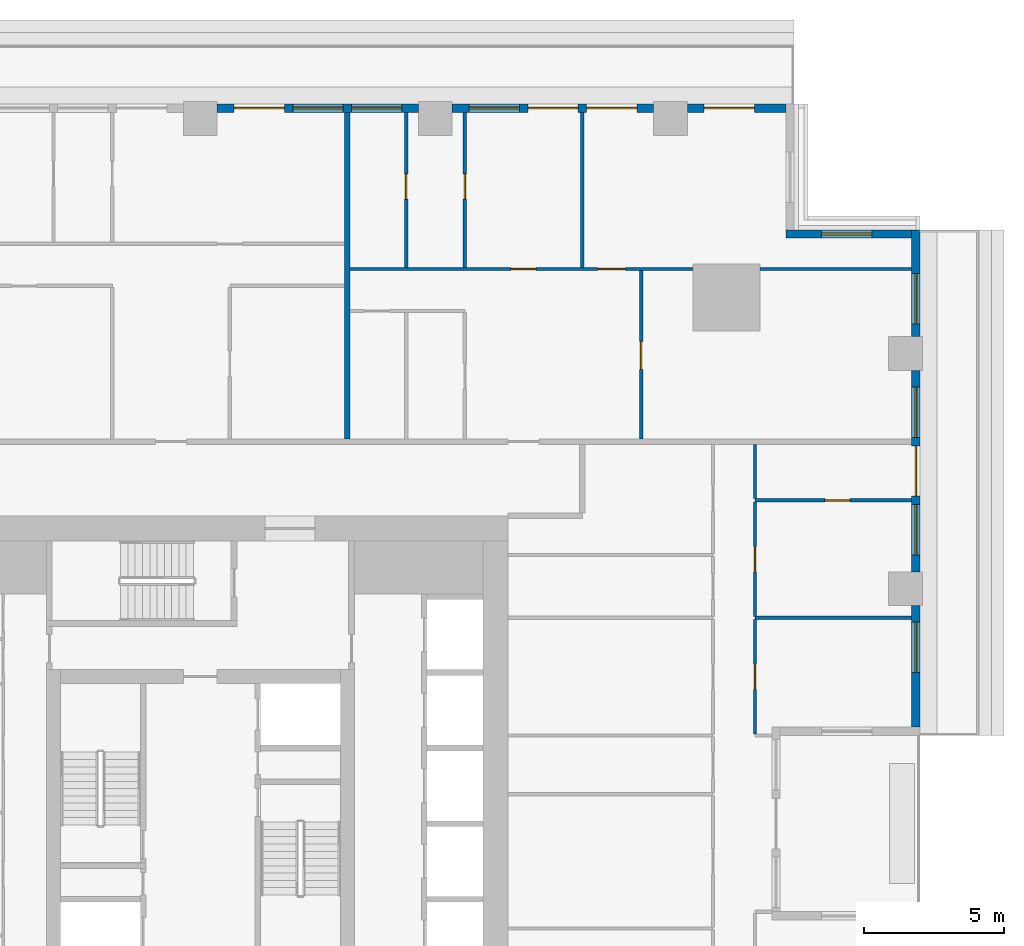
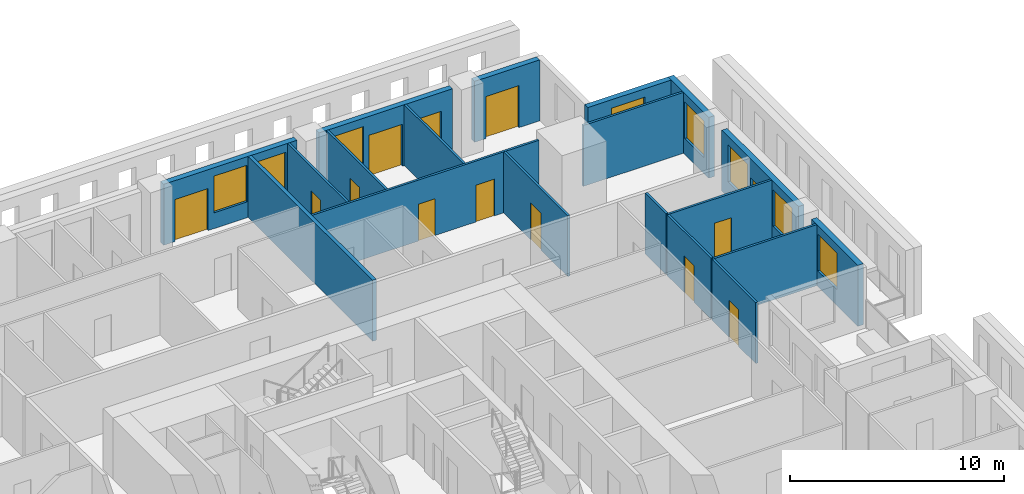
# One storey, part 10 of 17: 19 walls, 13 doors, 8 windows, 21 openings.
"""IFC4 building model written with IfcOpenShell, lengths in metres."""

from ifc_helpers import new_model, si_unit, direction, frame, frame_2d, origin, place, context, subcontext, project, spatial, rectangle, extrude, material, layer, layer_set, type_object, element, fill, save


model = new_model("IFC4")

# Units and contexts
model_context = context("Model", 3, precision=1e-05, world=origin(), true_north=direction((0.0, 1.0)))
body_context = subcontext(model_context, "Body", "Model", "MODEL_VIEW")
ifc_project = project(units=[si_unit("LENGTHUNIT", "METRE"), si_unit("AREAUNIT", "SQUARE_METRE"), si_unit("VOLUMEUNIT", "CUBIC_METRE"), si_unit("PLANEANGLEUNIT", "RADIAN"), si_unit("MASSUNIT", "GRAM", prefix="KILO")], contexts=[model_context])

# Site, building, storey
site_placement = place(None, origin())
site = spatial("IfcSite", under=ifc_project, at=site_placement, CompositionType="ELEMENT")
building_placement = place(site_placement, origin())
building = spatial("IfcBuilding", under=site, at=building_placement, Name="Khepri Terraces", CompositionType="ELEMENT")
storey_placement = place(building_placement, frame((0.0, 0.0, 188.39990234375)))
storey = spatial("IfcBuildingStorey", under=building, at=storey_placement, Name="L44", CompositionType="ELEMENT", Elevation=188.39990234375)

# Wall
ifc_material_1 = material(Name="Fire-rated gypsum plasterboard partition, mineral wool")
ifc_layer_1 = layer(ifc_material_1, 0.199951171875, Name="Fire-rated gypsum plasterboard partition, mineral wool")
ifc_layer_set_1 = layer_set([ifc_layer_1], Name="Fire-rated gypsum plasterboard partition, mineral wool")
wall_type_1 = type_object("IfcWallType", Name="WL-CORR-200", PredefinedType="PARTITIONING", material=ifc_layer_set_1)
wall_1_placement = place(storey_placement, frame((5.25, 13.75, 0.0), z_axis=(0.0, 0.0, 1.0), x_axis=(0.0, 1.0, 0.0)))
element("IfcWall", 1, at=wall_1_placement, inside=storey, type_object=wall_type_1, Name="Partition P-095 L44", PredefinedType="PARTITIONING", context=body_context, shape_type="SweptSolid", body=[
    extrude(rectangle(XDim=11.669921875, YDim=0.199951171875, at=frame_2d((5.8349609375, 0.0))), origin(), (0.0, 0.0, 1.0), 3.47998046875),
])

# Wall, opening, window
ifc_material_2 = material(Name="Precast concrete C50/60 warm stone", Category="masonry")
ifc_layer_2 = layer(ifc_material_2, 0.300048828125, Name="Precast concrete C50/60 warm stone", Category="masonry")
ifc_layer_set_2 = layer_set([ifc_layer_2], Name="Precast concrete C50/60 warm stone")
wall_type_2 = type_object("IfcWallType", Name="WL-EXT-PRECAST-300", PredefinedType="STANDARD", material=ifc_layer_set_2)
wall_2_placement = place(storey_placement, frame((25.570068359375, 3.449951171875, 0.0), z_axis=(0.0, 0.0, 1.0), x_axis=(0.0, 1.0, 0.0)))
wall_2 = element("IfcWall", 2, at=wall_2_placement, inside=storey, type_object=wall_type_2, Name="External wall L44 E", PredefinedType="STANDARD", context=body_context, shape_type="SweptSolid", body=[
    extrude(rectangle(XDim=4.35009765625, YDim=0.300048828125, at=frame_2d((2.175048828125, 0.0))), origin(), (0.0, 0.0, 1.0), 3.47998046875),
])
opening_1_placement = place(wall_2_placement, frame((1.949951171875, 0.0, 0.89990234375)))
opening_1 = element("IfcOpeningElement", 3, at=opening_1_placement, cuts=wall_2, Name="Opening W1", PredefinedType="OPENING", context=body_context, shape_type="SweptSolid", body=[
    extrude(rectangle(XDim=1.800048828125, YDim=2.10009765625, at=frame_2d((0.89990234375, 1.050048828125))), frame((0.0, 0.16015625, 0.0), z_axis=(0.0, -1.0, 0.0), x_axis=(1.0, 0.0, 0.0)), (0.0, 0.0, 1.0), 0.320068359375),
])
ifc_material_3 = material(Name="Clear glass", Category="glass")
window_type = type_object("IfcWindowType", Name="WIN-RES-1800x2100", PartitioningType="SINGLE_PANEL", PredefinedType="WINDOW", material=ifc_material_3)
window_1_placement = place(opening_1_placement, origin())
window_1 = element("IfcWindow", 4, at=window_1_placement, inside=storey, type_object=window_type, Name="Window L44 E", OverallHeight=2.10009765625, OverallWidth=1.800048828125, PartitioningType="SINGLE_PANEL", PredefinedType="WINDOW", context=body_context, shape_type="SweptSolid", body=[
    extrude(rectangle(XDim=1.800048828125, YDim=2.10009765625, at=frame_2d((0.89990234375, 1.050048828125))), frame((0.0, 0.030029296875, 0.0), z_axis=(0.0, -1.0, 0.0), x_axis=(1.0, 0.0, 0.0)), (0.0, 0.0, 1.0), 0.06005859375),
])
fill(opening_1, window_1)

# Wall, openings, door, windows
wall_3_placement = place(storey_placement, frame((25.570068359375, 9.0, 0.0), z_axis=(0.0, 0.0, 1.0), x_axis=(0.0, 1.0, 0.0)))
wall_3 = element("IfcWall", 5, at=wall_3_placement, inside=storey, type_object=wall_type_2, Name="External wall L44 E", PredefinedType="STANDARD", context=body_context, shape_type="SweptSolid", body=[
    extrude(rectangle(XDim=7.199951171875, YDim=0.300048828125, at=frame_2d((3.60009765625, 0.0))), origin(), (0.0, 0.0, 1.0), 3.47998046875),
])
opening_2_placement = place(wall_3_placement, frame((0.60009765625, 0.0, 0.89990234375)))
opening_2 = element("IfcOpeningElement", 6, at=opening_2_placement, cuts=wall_3, Name="Opening W1", PredefinedType="OPENING", context=body_context, shape_type="SweptSolid", body=[
    extrude(rectangle(XDim=1.800048828125, YDim=2.10009765625, at=frame_2d((0.89990234375, 1.050048828125))), frame((0.0, 0.16015625, 0.0), z_axis=(0.0, -1.0, 0.0), x_axis=(1.0, 0.0, 0.0)), (0.0, 0.0, 1.0), 0.320068359375),
])
opening_3_placement = place(wall_3_placement, frame((2.699951171875, 0.0, 0.0)))
opening_3 = element("IfcOpeningElement", 7, at=opening_3_placement, cuts=wall_3, Name="Opening ED-L44-05", PredefinedType="OPENING", context=body_context, shape_type="SweptSolid", body=[
    extrude(rectangle(XDim=1.800048828125, YDim=2.39990234375, at=frame_2d((0.89990234375, 1.199951171875))), frame((0.0, 0.16015625, 0.0), z_axis=(0.0, -1.0, 0.0), x_axis=(1.0, 0.0, 0.0)), (0.0, 0.0, 1.0), 0.320068359375),
])
opening_4_placement = place(wall_3_placement, frame((4.800048828125, 0.0, 0.89990234375)))
opening_4 = element("IfcOpeningElement", 8, at=opening_4_placement, cuts=wall_3, Name="Opening W1", PredefinedType="OPENING", context=body_context, shape_type="SweptSolid", body=[
    extrude(rectangle(XDim=1.800048828125, YDim=2.10009765625, at=frame_2d((0.89990234375, 1.050048828125))), frame((0.0, 0.16015625, 0.0), z_axis=(0.0, -1.0, 0.0), x_axis=(1.0, 0.0, 0.0)), (0.0, 0.0, 1.0), 0.320068359375),
])
ifc_material_4 = material(Name="Anodised aluminium bronze glazed door", Category="aluminium")
door_type_1 = type_object("IfcDoorType", Name="DR-BAL-SLIDE-1800x2400", OperationType="NOTDEFINED", PredefinedType="DOOR", material=ifc_material_4)
door_1_placement = place(opening_3_placement, origin())
door_1 = element("IfcDoor", 9, at=door_1_placement, inside=storey, type_object=door_type_1, Name="Balcony door L44 E", OperationType="SLIDING_TO_RIGHT", OverallHeight=2.39990234375, OverallWidth=1.800048828125, PredefinedType="DOOR", context=body_context, shape_type="SweptSolid", body=[
    extrude(rectangle(XDim=1.800048828125, YDim=2.39990234375, at=frame_2d((0.89990234375, 1.199951171875))), frame((0.0, 0.02490234375, 0.0), z_axis=(0.0, -1.0, 0.0), x_axis=(1.0, 0.0, 0.0)), (0.0, 0.0, 1.0), 0.050048828125),
])
fill(opening_3, door_1)
window_2_placement = place(opening_2_placement, origin())
window_2 = element("IfcWindow", 10, at=window_2_placement, inside=storey, type_object=window_type, Name="Window L44 E", OverallHeight=2.10009765625, OverallWidth=1.800048828125, PartitioningType="SINGLE_PANEL", PredefinedType="WINDOW", context=body_context, shape_type="SweptSolid", body=[
    extrude(rectangle(XDim=1.800048828125, YDim=2.10009765625, at=frame_2d((0.89990234375, 1.050048828125))), frame((0.0, 0.030029296875, 0.0), z_axis=(0.0, -1.0, 0.0), x_axis=(1.0, 0.0, 0.0)), (0.0, 0.0, 1.0), 0.06005859375),
])
fill(opening_2, window_2)
window_3_placement = place(opening_4_placement, origin())
window_3 = element("IfcWindow", 11, at=window_3_placement, inside=storey, type_object=window_type, Name="Window L44 E", OverallHeight=2.10009765625, OverallWidth=1.800048828125, PartitioningType="SINGLE_PANEL", PredefinedType="WINDOW", context=body_context, shape_type="SweptSolid", body=[
    extrude(rectangle(XDim=1.800048828125, YDim=2.10009765625, at=frame_2d((0.89990234375, 1.050048828125))), frame((0.0, 0.030029296875, 0.0), z_axis=(0.0, -1.0, 0.0), x_axis=(1.0, 0.0, 0.0)), (0.0, 0.0, 1.0), 0.06005859375),
])
fill(opening_4, window_3)

# Wall, opening, window
wall_4_placement = place(storey_placement, frame((25.570068359375, 17.39990234375, 0.0), z_axis=(0.0, 0.0, 1.0), x_axis=(0.0, 1.0, 0.0)))
wall_4 = element("IfcWall", 12, at=wall_4_placement, inside=storey, type_object=wall_type_2, Name="External wall L44 E", PredefinedType="STANDARD", context=body_context, shape_type="SweptSolid", body=[
    extrude(rectangle(XDim=3.820068359375, YDim=0.300048828125, at=frame_2d((1.91015625, 0.0))), origin(), (0.0, 0.0, 1.0), 3.47998046875),
])
opening_5_placement = place(wall_4_placement, frame((0.4599609375, 0.0, 0.89990234375)))
opening_5 = element("IfcOpeningElement", 13, at=opening_5_placement, cuts=wall_4, Name="Opening W1", PredefinedType="OPENING", context=body_context, shape_type="SweptSolid", body=[
    extrude(rectangle(XDim=1.800048828125, YDim=2.10009765625, at=frame_2d((0.89990234375, 1.050048828125))), frame((0.0, 0.16015625, 0.0), z_axis=(0.0, -1.0, 0.0), x_axis=(1.0, 0.0, 0.0)), (0.0, 0.0, 1.0), 0.320068359375),
])
window_4_placement = place(opening_5_placement, origin())
window_4 = element("IfcWindow", 14, at=window_4_placement, inside=storey, type_object=window_type, Name="Window L44 E", OverallHeight=2.10009765625, OverallWidth=1.800048828125, PartitioningType="SINGLE_PANEL", PredefinedType="WINDOW", context=body_context, shape_type="SweptSolid", body=[
    extrude(rectangle(XDim=1.800048828125, YDim=2.10009765625, at=frame_2d((0.89990234375, 1.050048828125))), frame((0.0, 0.030029296875, 0.0), z_axis=(0.0, -1.0, 0.0), x_axis=(1.0, 0.0, 0.0)), (0.0, 0.0, 1.0), 0.06005859375),
])
fill(opening_5, window_4)

wall_5_placement = place(storey_placement, frame((25.419921875, 21.070068359375, 0.0), z_axis=(0.0, 0.0, 1.0), x_axis=(-1.0, 0.0, 0.0)))
wall_5 = element("IfcWall", 15, at=wall_5_placement, inside=storey, type_object=wall_type_2, Name="External wall L44 N", PredefinedType="STANDARD", context=body_context, shape_type="SweptSolid", body=[
    extrude(rectangle(XDim=4.5, YDim=0.300048828125, at=frame_2d((2.25, 0.0))), origin(), (0.0, 0.0, 1.0), 3.47998046875),
])
opening_6_placement = place(wall_5_placement, frame((1.419921875, 0.0, 0.89990234375)))
opening_6 = element("IfcOpeningElement", 16, at=opening_6_placement, cuts=wall_5, Name="Opening W1", PredefinedType="OPENING", context=body_context, shape_type="SweptSolid", body=[
    extrude(rectangle(XDim=1.800048828125, YDim=2.10009765625, at=frame_2d((0.89990234375, 1.050048828125))), frame((0.0, 0.16015625, 0.0), z_axis=(0.0, -1.0, 0.0), x_axis=(1.0, 0.0, 0.0)), (0.0, 0.0, 1.0), 0.320068359375),
])
window_5_placement = place(opening_6_placement, origin())
window_5 = element("IfcWindow", 17, at=window_5_placement, inside=storey, type_object=window_type, Name="Window L44 N", OverallHeight=2.10009765625, OverallWidth=1.800048828125, PartitioningType="SINGLE_PANEL", PredefinedType="WINDOW", context=body_context, shape_type="SweptSolid", body=[
    extrude(rectangle(XDim=1.800048828125, YDim=2.10009765625, at=frame_2d((0.89990234375, 1.050048828125))), frame((0.0, 0.030029296875, 0.0), z_axis=(0.0, -1.0, 0.0), x_axis=(1.0, 0.0, 0.0)), (0.0, 0.0, 1.0), 0.06005859375),
])
fill(opening_6, window_5)

# Wall, opening, door
wall_6_placement = place(storey_placement, frame((20.919921875, 25.570068359375, 0.0), z_axis=(0.0, 0.0, 1.0), x_axis=(-1.0, 0.0, 0.0)))
wall_6 = element("IfcWall", 18, at=wall_6_placement, inside=storey, type_object=wall_type_2, Name="External wall L44 N", PredefinedType="STANDARD", context=body_context, shape_type="SweptSolid", body=[
    extrude(rectangle(XDim=3.52001953125, YDim=0.300048828125, at=frame_2d((1.760009765625, 0.0))), origin(), (0.0, 0.0, 1.0), 3.47998046875),
])
opening_7_placement = place(wall_6_placement, frame((1.1201171875, 0.0, 0.0)))
opening_7 = element("IfcOpeningElement", 19, at=opening_7_placement, cuts=wall_6, Name="Opening ED-L44-06", PredefinedType="OPENING", context=body_context, shape_type="SweptSolid", body=[
    extrude(rectangle(XDim=1.800048828125, YDim=2.39990234375, at=frame_2d((0.89990234375, 1.199951171875))), frame((0.0, 0.16015625, 0.0), z_axis=(0.0, -1.0, 0.0), x_axis=(1.0, 0.0, 0.0)), (0.0, 0.0, 1.0), 0.320068359375),
])
door_2_placement = place(opening_7_placement, origin())
door_2 = element("IfcDoor", 20, at=door_2_placement, inside=storey, type_object=door_type_1, Name="Balcony door L44 N", OperationType="SLIDING_TO_RIGHT", OverallHeight=2.39990234375, OverallWidth=1.800048828125, PredefinedType="DOOR", context=body_context, shape_type="SweptSolid", body=[
    extrude(rectangle(XDim=1.800048828125, YDim=2.39990234375, at=frame_2d((0.89990234375, 1.199951171875))), frame((0.0, 0.02490234375, 0.0), z_axis=(0.0, -1.0, 0.0), x_axis=(1.0, 0.0, 0.0)), (0.0, 0.0, 1.0), 0.050048828125),
])
fill(opening_7, door_2)

# Wall, openings, doors, window
wall_7_placement = place(storey_placement, frame((16.199951171875, 25.570068359375, 0.0), z_axis=(0.0, 0.0, 1.0), x_axis=(-1.0, 0.0, 0.0)))
wall_7 = element("IfcWall", 21, at=wall_7_placement, inside=storey, type_object=wall_type_2, Name="External wall L44 N", PredefinedType="STANDARD", context=body_context, shape_type="SweptSolid", body=[
    extrude(rectangle(XDim=7.199951171875, YDim=0.300048828125, at=frame_2d((3.60009765625, 0.0))), origin(), (0.0, 0.0, 1.0), 3.47998046875),
])
opening_8_placement = place(wall_7_placement, frame((0.60009765625, 0.0, 0.0)))
opening_8 = element("IfcOpeningElement", 22, at=opening_8_placement, cuts=wall_7, Name="Opening ED-L44-07", PredefinedType="OPENING", context=body_context, shape_type="SweptSolid", body=[
    extrude(rectangle(XDim=1.800048828125, YDim=2.39990234375, at=frame_2d((0.89990234375, 1.199951171875))), frame((0.0, 0.16015625, 0.0), z_axis=(0.0, -1.0, 0.0), x_axis=(1.0, 0.0, 0.0)), (0.0, 0.0, 1.0), 0.320068359375),
])
opening_9_placement = place(wall_7_placement, frame((2.699951171875, 0.0, 0.0)))
opening_9 = element("IfcOpeningElement", 23, at=opening_9_placement, cuts=wall_7, Name="Opening ED-L44-08", PredefinedType="OPENING", context=body_context, shape_type="SweptSolid", body=[
    extrude(rectangle(XDim=1.800048828125, YDim=2.39990234375, at=frame_2d((0.89990234375, 1.199951171875))), frame((0.0, 0.16015625, 0.0), z_axis=(0.0, -1.0, 0.0), x_axis=(1.0, 0.0, 0.0)), (0.0, 0.0, 1.0), 0.320068359375),
])
opening_10_placement = place(wall_7_placement, frame((4.800048828125, 0.0, 0.89990234375)))
opening_10 = element("IfcOpeningElement", 24, at=opening_10_placement, cuts=wall_7, Name="Opening W1", PredefinedType="OPENING", context=body_context, shape_type="SweptSolid", body=[
    extrude(rectangle(XDim=1.800048828125, YDim=2.10009765625, at=frame_2d((0.89990234375, 1.050048828125))), frame((0.0, 0.16015625, 0.0), z_axis=(0.0, -1.0, 0.0), x_axis=(1.0, 0.0, 0.0)), (0.0, 0.0, 1.0), 0.320068359375),
])
door_3_placement = place(opening_8_placement, origin())
door_3 = element("IfcDoor", 25, at=door_3_placement, inside=storey, type_object=door_type_1, Name="Balcony door L44 N", OperationType="SLIDING_TO_LEFT", OverallHeight=2.39990234375, OverallWidth=1.800048828125, PredefinedType="DOOR", context=body_context, shape_type="SweptSolid", body=[
    extrude(rectangle(XDim=1.800048828125, YDim=2.39990234375, at=frame_2d((0.89990234375, 1.199951171875))), frame((0.0, 0.02490234375, 0.0), z_axis=(0.0, -1.0, 0.0), x_axis=(1.0, 0.0, 0.0)), (0.0, 0.0, 1.0), 0.050048828125),
])
fill(opening_8, door_3)
door_4_placement = place(opening_9_placement, origin())
door_4 = element("IfcDoor", 26, at=door_4_placement, inside=storey, type_object=door_type_1, Name="Balcony door L44 N", OperationType="SLIDING_TO_RIGHT", OverallHeight=2.39990234375, OverallWidth=1.800048828125, PredefinedType="DOOR", context=body_context, shape_type="SweptSolid", body=[
    extrude(rectangle(XDim=1.800048828125, YDim=2.39990234375, at=frame_2d((0.89990234375, 1.199951171875))), frame((0.0, 0.02490234375, 0.0), z_axis=(0.0, -1.0, 0.0), x_axis=(1.0, 0.0, 0.0)), (0.0, 0.0, 1.0), 0.050048828125),
])
fill(opening_9, door_4)
window_6_placement = place(opening_10_placement, origin())
window_6 = element("IfcWindow", 27, at=window_6_placement, inside=storey, type_object=window_type, Name="Window L44 N", OverallHeight=2.10009765625, OverallWidth=1.800048828125, PartitioningType="SINGLE_PANEL", PredefinedType="WINDOW", context=body_context, shape_type="SweptSolid", body=[
    extrude(rectangle(XDim=1.800048828125, YDim=2.10009765625, at=frame_2d((0.89990234375, 1.050048828125))), frame((0.0, 0.030029296875, 0.0), z_axis=(0.0, -1.0, 0.0), x_axis=(1.0, 0.0, 0.0)), (0.0, 0.0, 1.0), 0.06005859375),
])
fill(opening_10, window_6)

# Wall, openings, door, windows
wall_8_placement = place(storey_placement, frame((7.800048828125, 25.570068359375, 0.0), z_axis=(0.0, 0.0, 1.0), x_axis=(-1.0, 0.0, 0.0)))
wall_8 = element("IfcWall", 28, at=wall_8_placement, inside=storey, type_object=wall_type_2, Name="External wall L44 N", PredefinedType="STANDARD", context=body_context, shape_type="SweptSolid", body=[
    extrude(rectangle(XDim=7.199951171875, YDim=0.300048828125, at=frame_2d((3.60009765625, 0.0))), origin(), (0.0, 0.0, 1.0), 3.47998046875),
])
opening_11_placement = place(wall_8_placement, frame((0.60009765625, 0.0, 0.89990234375)))
opening_11 = element("IfcOpeningElement", 29, at=opening_11_placement, cuts=wall_8, Name="Opening W1", PredefinedType="OPENING", context=body_context, shape_type="SweptSolid", body=[
    extrude(rectangle(XDim=1.800048828125, YDim=2.10009765625, at=frame_2d((0.89990234375, 1.050048828125))), frame((0.0, 0.16015625, 0.0), z_axis=(0.0, -1.0, 0.0), x_axis=(1.0, 0.0, 0.0)), (0.0, 0.0, 1.0), 0.320068359375),
])
opening_12_placement = place(wall_8_placement, frame((2.699951171875, 0.0, 0.89990234375)))
opening_12 = element("IfcOpeningElement", 30, at=opening_12_placement, cuts=wall_8, Name="Opening W1", PredefinedType="OPENING", context=body_context, shape_type="SweptSolid", body=[
    extrude(rectangle(XDim=1.800048828125, YDim=2.10009765625, at=frame_2d((0.89990234375, 1.050048828125))), frame((0.0, 0.16015625, 0.0), z_axis=(0.0, -1.0, 0.0), x_axis=(1.0, 0.0, 0.0)), (0.0, 0.0, 1.0), 0.320068359375),
])
opening_13_placement = place(wall_8_placement, frame((4.800048828125, 0.0, 0.0)))
opening_13 = element("IfcOpeningElement", 31, at=opening_13_placement, cuts=wall_8, Name="Opening ED-L44-09", PredefinedType="OPENING", context=body_context, shape_type="SweptSolid", body=[
    extrude(rectangle(XDim=1.800048828125, YDim=2.39990234375, at=frame_2d((0.89990234375, 1.199951171875))), frame((0.0, 0.16015625, 0.0), z_axis=(0.0, -1.0, 0.0), x_axis=(1.0, 0.0, 0.0)), (0.0, 0.0, 1.0), 0.320068359375),
])
door_5_placement = place(opening_13_placement, origin())
door_5 = element("IfcDoor", 32, at=door_5_placement, inside=storey, type_object=door_type_1, Name="Balcony door L44 N", OperationType="SLIDING_TO_RIGHT", OverallHeight=2.39990234375, OverallWidth=1.800048828125, PredefinedType="DOOR", context=body_context, shape_type="SweptSolid", body=[
    extrude(rectangle(XDim=1.800048828125, YDim=2.39990234375, at=frame_2d((0.89990234375, 1.199951171875))), frame((0.0, 0.02490234375, 0.0), z_axis=(0.0, -1.0, 0.0), x_axis=(1.0, 0.0, 0.0)), (0.0, 0.0, 1.0), 0.050048828125),
])
fill(opening_13, door_5)
window_7_placement = place(opening_11_placement, origin())
window_7 = element("IfcWindow", 33, at=window_7_placement, inside=storey, type_object=window_type, Name="Window L44 N", OverallHeight=2.10009765625, OverallWidth=1.800048828125, PartitioningType="SINGLE_PANEL", PredefinedType="WINDOW", context=body_context, shape_type="SweptSolid", body=[
    extrude(rectangle(XDim=1.800048828125, YDim=2.10009765625, at=frame_2d((0.89990234375, 1.050048828125))), frame((0.0, 0.030029296875, 0.0), z_axis=(0.0, -1.0, 0.0), x_axis=(1.0, 0.0, 0.0)), (0.0, 0.0, 1.0), 0.06005859375),
])
fill(opening_11, window_7)
window_8_placement = place(opening_12_placement, origin())
window_8 = element("IfcWindow", 34, at=window_8_placement, inside=storey, type_object=window_type, Name="Window L44 N", OverallHeight=2.10009765625, OverallWidth=1.800048828125, PartitioningType="SINGLE_PANEL", PredefinedType="WINDOW", context=body_context, shape_type="SweptSolid", body=[
    extrude(rectangle(XDim=1.800048828125, YDim=2.10009765625, at=frame_2d((0.89990234375, 1.050048828125))), frame((0.0, 0.030029296875, 0.0), z_axis=(0.0, -1.0, 0.0), x_axis=(1.0, 0.0, 0.0)), (0.0, 0.0, 1.0), 0.06005859375),
])
fill(opening_12, window_8)

# Wall, opening, door
ifc_material_5 = material(Name="Gypsum plasterboard partition")
ifc_layer_3 = layer(ifc_material_5, 0.1201171875, Name="Gypsum plasterboard partition")
ifc_layer_set_3 = layer_set([ifc_layer_3], Name="Gypsum plasterboard partition")
wall_type_3 = type_object("IfcWallType", Name="WL-PART-120", PredefinedType="PARTITIONING", material=ifc_layer_set_3)
wall_9_placement = place(storey_placement, frame((19.820068359375, 3.2099609375, 0.0), z_axis=(0.0, 0.0, 1.0), x_axis=(0.0, 1.0, 0.0)))
wall_9 = element("IfcWall", 35, at=wall_9_placement, inside=storey, type_object=wall_type_3, Name="Partition P-065 L44", PredefinedType="PARTITIONING", context=body_context, shape_type="SweptSolid", body=[
    extrude(rectangle(XDim=4.080078125, YDim=0.1201171875, at=frame_2d((2.0400390625, 0.0))), origin(), (0.0, 0.0, 1.0), 3.47998046875),
])
opening_14_placement = place(wall_9_placement, frame((1.590087890625, 0.0, 0.0)))
opening_14 = element("IfcOpeningElement", 36, at=opening_14_placement, cuts=wall_9, Name="Opening D3", PredefinedType="OPENING", context=body_context, shape_type="SweptSolid", body=[
    extrude(rectangle(XDim=0.89990234375, YDim=2.10009765625, at=frame_2d((0.449951171875, 1.050048828125))), frame((0.0, 0.070068359375, 0.0), z_axis=(0.0, -1.0, 0.0), x_axis=(1.0, 0.0, 0.0)), (0.0, 0.0, 1.0), 0.14013671875),
])
ifc_material_6 = material(Name="Timber door leaf", Category="wood")
door_type_2 = type_object("IfcDoorType", Name="DR-INT-900", OperationType="NOTDEFINED", PredefinedType="DOOR", material=ifc_material_6)
door_6_placement = place(opening_14_placement, frame((0.89990234375, 0.0, 0.0), z_axis=(0.0, 0.0, 1.0), x_axis=(-1.0, 0.0, 0.0)))
door_6 = element("IfcDoor", 37, at=door_6_placement, inside=storey, type_object=door_type_2, Name="Door Study", OperationType="SINGLE_SWING_LEFT", OverallHeight=2.10009765625, OverallWidth=0.89990234375, PredefinedType="DOOR", context=body_context, shape_type="SweptSolid", body=[
    extrude(rectangle(XDim=0.89990234375, YDim=2.10009765625, at=frame_2d((0.449951171875, 1.050048828125))), frame((0.0, 0.02490234375, 0.0), z_axis=(0.0, -1.0, 0.0), x_axis=(1.0, 0.0, 0.0)), (0.0, 0.0, 1.0), 0.050048828125),
])
fill(opening_14, door_6)

# Wall
wall_10_placement = place(storey_placement, frame((19.820068359375, 7.35009765625, 0.0), z_axis=(0.0, 0.0, 1.0), x_axis=(1.0, 0.0, 0.0)))
element("IfcWall", 38, at=wall_10_placement, inside=storey, type_object=wall_type_3, Name="Partition P-073 L44", PredefinedType="PARTITIONING", context=body_context, shape_type="SweptSolid", body=[
    extrude(rectangle(XDim=5.599853515625, YDim=0.1201171875, at=frame_2d((2.7998046875, 0.0))), origin(), (0.0, 0.0, 1.0), 3.47998046875),
])

# Wall, opening, door
wall_11_placement = place(storey_placement, frame((19.820068359375, 7.409912109375, 0.0), z_axis=(0.0, 0.0, 1.0), x_axis=(0.0, 1.0, 0.0)))
wall_11 = element("IfcWall", 39, at=wall_11_placement, inside=storey, type_object=wall_type_3, Name="Partition P-077 L44", PredefinedType="PARTITIONING", context=body_context, shape_type="SweptSolid", body=[
    extrude(rectangle(XDim=4.080078125, YDim=0.1201171875, at=frame_2d((2.0400390625, 0.0))), origin(), (0.0, 0.0, 1.0), 3.47998046875),
])
opening_15_placement = place(wall_11_placement, frame((1.590087890625, 0.0, 0.0)))
opening_15 = element("IfcOpeningElement", 40, at=opening_15_placement, cuts=wall_11, Name="Opening D3", PredefinedType="OPENING", context=body_context, shape_type="SweptSolid", body=[
    extrude(rectangle(XDim=0.89990234375, YDim=2.10009765625, at=frame_2d((0.449951171875, 1.050048828125))), frame((0.0, 0.070068359375, 0.0), z_axis=(0.0, -1.0, 0.0), x_axis=(1.0, 0.0, 0.0)), (0.0, 0.0, 1.0), 0.14013671875),
])
door_7_placement = place(opening_15_placement, frame((0.89990234375, 0.0, 0.0), z_axis=(0.0, 0.0, 1.0), x_axis=(-1.0, 0.0, 0.0)))
door_7 = element("IfcDoor", 41, at=door_7_placement, inside=storey, type_object=door_type_2, Name="Door Bedroom", OperationType="SINGLE_SWING_RIGHT", OverallHeight=2.10009765625, OverallWidth=0.89990234375, PredefinedType="DOOR", context=body_context, shape_type="SweptSolid", body=[
    extrude(rectangle(XDim=0.89990234375, YDim=2.10009765625, at=frame_2d((0.449951171875, 1.050048828125))), frame((0.0, 0.02490234375, 0.0), z_axis=(0.0, -1.0, 0.0), x_axis=(1.0, 0.0, 0.0)), (0.0, 0.0, 1.0), 0.050048828125),
])
fill(opening_15, door_7)

wall_12_placement = place(storey_placement, frame((19.820068359375, 11.550048828125, 0.0), z_axis=(0.0, 0.0, 1.0), x_axis=(1.0, 0.0, 0.0)))
wall_12 = element("IfcWall", 42, at=wall_12_placement, inside=storey, type_object=wall_type_3, Name="Partition P-085 L44", PredefinedType="PARTITIONING", context=body_context, shape_type="SweptSolid", body=[
    extrude(rectangle(XDim=5.599853515625, YDim=0.1201171875, at=frame_2d((2.7998046875, 0.0))), origin(), (0.0, 0.0, 1.0), 3.47998046875),
])
opening_16_placement = place(wall_12_placement, frame((2.5, 0.0, 0.0)))
opening_16 = element("IfcOpeningElement", 43, at=opening_16_placement, cuts=wall_12, Name="Opening D4", PredefinedType="OPENING", context=body_context, shape_type="SweptSolid", body=[
    extrude(rectangle(XDim=0.89990234375, YDim=2.10009765625, at=frame_2d((0.449951171875, 1.050048828125))), frame((0.0, 0.070068359375, 0.0), z_axis=(0.0, -1.0, 0.0), x_axis=(1.0, 0.0, 0.0)), (0.0, 0.0, 1.0), 0.14013671875),
])
ifc_material_7 = material(Name="Timber door leaf, moisture resistant", Category="wood")
door_type_3 = type_object("IfcDoorType", Name="DR-WET-900", OperationType="NOTDEFINED", PredefinedType="DOOR", material=ifc_material_7)
door_8_placement = place(opening_16_placement, origin())
door_8 = element("IfcDoor", 44, at=door_8_placement, inside=storey, type_object=door_type_3, Name="Door Bathroom", OperationType="SINGLE_SWING_RIGHT", OverallHeight=2.10009765625, OverallWidth=0.89990234375, PredefinedType="DOOR", context=body_context, shape_type="SweptSolid", body=[
    extrude(rectangle(XDim=0.89990234375, YDim=2.10009765625, at=frame_2d((0.449951171875, 1.050048828125))), frame((0.0, 0.02490234375, 0.0), z_axis=(0.0, -1.0, 0.0), x_axis=(1.0, 0.0, 0.0)), (0.0, 0.0, 1.0), 0.050048828125),
])
fill(opening_16, door_8)

# Wall
wall_13_placement = place(storey_placement, frame((19.820068359375, 11.610107421875, 0.0), z_axis=(0.0, 0.0, 1.0), x_axis=(0.0, 1.0, 0.0)))
element("IfcWall", 45, at=wall_13_placement, inside=storey, type_object=wall_type_3, Name="Partition P-086 L44", PredefinedType="PARTITIONING", context=body_context, shape_type="SweptSolid", body=[
    extrude(rectangle(XDim=1.93994140625, YDim=0.1201171875, at=frame_2d((0.969970703125, 0.0))), origin(), (0.0, 0.0, 1.0), 3.47998046875),
])

# Wall, opening, door
wall_14_placement = place(storey_placement, frame((15.75, 13.75, 0.0), z_axis=(0.0, 0.0, 1.0), x_axis=(0.0, 1.0, 0.0)))
wall_14 = element("IfcWall", 46, at=wall_14_placement, inside=storey, type_object=wall_type_3, Name="Partition P-098 L44", PredefinedType="PARTITIONING", context=body_context, shape_type="SweptSolid", body=[
    extrude(rectangle(XDim=6.010009765625, YDim=0.1201171875, at=frame_2d((3.0048828125, 0.0))), origin(), (0.0, 0.0, 1.0), 3.47998046875),
])
opening_17_placement = place(wall_14_placement, frame((2.485107421875, 0.0, 0.0)))
opening_17 = element("IfcOpeningElement", 47, at=opening_17_placement, cuts=wall_14, Name="Opening D2", PredefinedType="OPENING", context=body_context, shape_type="SweptSolid", body=[
    extrude(rectangle(XDim=1.0, YDim=2.10009765625, at=frame_2d((0.5, 1.050048828125))), frame((0.0, 0.070068359375, 0.0), z_axis=(0.0, -1.0, 0.0), x_axis=(1.0, 0.0, 0.0)), (0.0, 0.0, 1.0), 0.14013671875),
])
ifc_material_8 = material(Name="Timber door leaf, living room door", Category="wood")
door_type_4 = type_object("IfcDoorType", Name="DR-INT-1000", OperationType="NOTDEFINED", PredefinedType="DOOR", material=ifc_material_8)
door_9_placement = place(opening_17_placement, frame((1.0, 0.0, 0.0), z_axis=(0.0, 0.0, 1.0), x_axis=(-1.0, 0.0, 0.0)))
door_9 = element("IfcDoor", 48, at=door_9_placement, inside=storey, type_object=door_type_4, Name="Door Family Room", OperationType="SINGLE_SWING_RIGHT", OverallHeight=2.10009765625, OverallWidth=1.0, PredefinedType="DOOR", context=body_context, shape_type="SweptSolid", body=[
    extrude(rectangle(XDim=1.0, YDim=2.10009765625, at=frame_2d((0.5, 1.050048828125))), frame((0.0, 0.02490234375, 0.0), z_axis=(0.0, -1.0, 0.0), x_axis=(1.0, 0.0, 0.0)), (0.0, 0.0, 1.0), 0.050048828125),
])
fill(opening_17, door_9)

# Wall, openings, doors
wall_15_placement = place(storey_placement, frame((5.35009765625, 19.820068359375, 0.0), z_axis=(0.0, 0.0, 1.0), x_axis=(1.0, 0.0, 0.0)))
wall_15 = element("IfcWall", 49, at=wall_15_placement, inside=storey, type_object=wall_type_3, Name="Partition P-104 L44", PredefinedType="PARTITIONING", context=body_context, shape_type="SweptSolid", body=[
    extrude(rectangle(XDim=12.25, YDim=0.1201171875, at=frame_2d((6.125, 0.0))), origin(), (0.0, 0.0, 1.0), 3.47998046875),
])
opening_18_placement = place(wall_15_placement, frame((8.85009765625, 0.0, 0.0)))
opening_18 = element("IfcOpeningElement", 50, at=opening_18_placement, cuts=wall_15, Name="Opening D2", PredefinedType="OPENING", context=body_context, shape_type="SweptSolid", body=[
    extrude(rectangle(XDim=1.0, YDim=2.10009765625, at=frame_2d((0.5, 1.050048828125))), frame((0.0, 0.070068359375, 0.0), z_axis=(0.0, -1.0, 0.0), x_axis=(1.0, 0.0, 0.0)), (0.0, 0.0, 1.0), 0.14013671875),
])
opening_19_placement = place(wall_15_placement, frame((5.75, 0.0, 0.0)))
opening_19 = element("IfcOpeningElement", 51, at=opening_19_placement, cuts=wall_15, Name="Opening D3", PredefinedType="OPENING", context=body_context, shape_type="SweptSolid", body=[
    extrude(rectangle(XDim=0.89990234375, YDim=2.10009765625, at=frame_2d((0.449951171875, 1.050048828125))), frame((0.0, 0.070068359375, 0.0), z_axis=(0.0, -1.0, 0.0), x_axis=(1.0, 0.0, 0.0)), (0.0, 0.0, 1.0), 0.14013671875),
])
door_10_placement = place(opening_18_placement, origin())
door_10 = element("IfcDoor", 52, at=door_10_placement, inside=storey, type_object=door_type_4, Name="Door Living Room", OperationType="SINGLE_SWING_RIGHT", OverallHeight=2.10009765625, OverallWidth=1.0, PredefinedType="DOOR", context=body_context, shape_type="SweptSolid", body=[
    extrude(rectangle(XDim=1.0, YDim=2.10009765625, at=frame_2d((0.5, 1.050048828125))), frame((0.0, 0.02490234375, 0.0), z_axis=(0.0, -1.0, 0.0), x_axis=(1.0, 0.0, 0.0)), (0.0, 0.0, 1.0), 0.050048828125),
])
fill(opening_18, door_10)
door_11_placement = place(opening_19_placement, origin())
door_11 = element("IfcDoor", 53, at=door_11_placement, inside=storey, type_object=door_type_2, Name="Door Master Bedroom", OperationType="SINGLE_SWING_RIGHT", OverallHeight=2.10009765625, OverallWidth=0.89990234375, PredefinedType="DOOR", context=body_context, shape_type="SweptSolid", body=[
    extrude(rectangle(XDim=0.89990234375, YDim=2.10009765625, at=frame_2d((0.449951171875, 1.050048828125))), frame((0.0, 0.02490234375, 0.0), z_axis=(0.0, -1.0, 0.0), x_axis=(1.0, 0.0, 0.0)), (0.0, 0.0, 1.0), 0.050048828125),
])
fill(opening_19, door_11)

# Wall
wall_16_placement = place(storey_placement, frame((20.0, 19.820068359375, 0.0), z_axis=(0.0, 0.0, 1.0), x_axis=(1.0, 0.0, 0.0)))
element("IfcWall", 54, at=wall_16_placement, inside=storey, type_object=wall_type_3, Name="Partition P-105 L44", PredefinedType="PARTITIONING", context=body_context, shape_type="SweptSolid", body=[
    extrude(rectangle(XDim=5.419921875, YDim=0.1201171875, at=frame_2d((2.7099609375, 0.0))), origin(), (0.0, 0.0, 1.0), 3.47998046875),
])

# Wall, opening, door
wall_17_placement = place(storey_placement, frame((7.35009765625, 19.8798828125, 0.0), z_axis=(0.0, 0.0, 1.0), x_axis=(0.0, 1.0, 0.0)))
wall_17 = element("IfcWall", 55, at=wall_17_placement, inside=storey, type_object=wall_type_3, Name="Partition P-106 L44", PredefinedType="PARTITIONING", context=body_context, shape_type="SweptSolid", body=[
    extrude(rectangle(XDim=5.5400390625, YDim=0.1201171875, at=frame_2d((2.77001953125, 0.0))), origin(), (0.0, 0.0, 1.0), 3.47998046875),
])
opening_20_placement = place(wall_17_placement, frame((2.43994140625, 0.0, 0.0)))
opening_20 = element("IfcOpeningElement", 56, at=opening_20_placement, cuts=wall_17, Name="Opening D4", PredefinedType="OPENING", context=body_context, shape_type="SweptSolid", body=[
    extrude(rectangle(XDim=0.89990234375, YDim=2.10009765625, at=frame_2d((0.449951171875, 1.050048828125))), frame((0.0, 0.070068359375, 0.0), z_axis=(0.0, -1.0, 0.0), x_axis=(1.0, 0.0, 0.0)), (0.0, 0.0, 1.0), 0.14013671875),
])
door_12_placement = place(opening_20_placement, origin())
door_12 = element("IfcDoor", 57, at=door_12_placement, inside=storey, type_object=door_type_3, Name="Door Bathroom", OperationType="SINGLE_SWING_RIGHT", OverallHeight=2.10009765625, OverallWidth=0.89990234375, PredefinedType="DOOR", context=body_context, shape_type="SweptSolid", body=[
    extrude(rectangle(XDim=0.89990234375, YDim=2.10009765625, at=frame_2d((0.449951171875, 1.050048828125))), frame((0.0, 0.02490234375, 0.0), z_axis=(0.0, -1.0, 0.0), x_axis=(1.0, 0.0, 0.0)), (0.0, 0.0, 1.0), 0.050048828125),
])
fill(opening_20, door_12)

wall_18_placement = place(storey_placement, frame((9.449951171875, 19.8798828125, 0.0), z_axis=(0.0, 0.0, 1.0), x_axis=(0.0, 1.0, 0.0)))
wall_18 = element("IfcWall", 58, at=wall_18_placement, inside=storey, type_object=wall_type_3, Name="Partition P-107 L44", PredefinedType="PARTITIONING", context=body_context, shape_type="SweptSolid", body=[
    extrude(rectangle(XDim=5.5400390625, YDim=0.1201171875, at=frame_2d((2.77001953125, 0.0))), origin(), (0.0, 0.0, 1.0), 3.47998046875),
])
opening_21_placement = place(wall_18_placement, frame((2.43994140625, 0.0, 0.0)))
opening_21 = element("IfcOpeningElement", 59, at=opening_21_placement, cuts=wall_18, Name="Opening D3", PredefinedType="OPENING", context=body_context, shape_type="SweptSolid", body=[
    extrude(rectangle(XDim=0.89990234375, YDim=2.10009765625, at=frame_2d((0.449951171875, 1.050048828125))), frame((0.0, 0.070068359375, 0.0), z_axis=(0.0, -1.0, 0.0), x_axis=(1.0, 0.0, 0.0)), (0.0, 0.0, 1.0), 0.14013671875),
])
door_13_placement = place(opening_21_placement, origin())
door_13 = element("IfcDoor", 60, at=door_13_placement, inside=storey, type_object=door_type_2, Name="Door Dressing Room", OperationType="SINGLE_SWING_RIGHT", OverallHeight=2.10009765625, OverallWidth=0.89990234375, PredefinedType="DOOR", context=body_context, shape_type="SweptSolid", body=[
    extrude(rectangle(XDim=0.89990234375, YDim=2.10009765625, at=frame_2d((0.449951171875, 1.050048828125))), frame((0.0, 0.02490234375, 0.0), z_axis=(0.0, -1.0, 0.0), x_axis=(1.0, 0.0, 0.0)), (0.0, 0.0, 1.0), 0.050048828125),
])
fill(opening_21, door_13)

# Wall
wall_19_placement = place(storey_placement, frame((13.64990234375, 19.8798828125, 0.0), z_axis=(0.0, 0.0, 1.0), x_axis=(0.0, 1.0, 0.0)))
element("IfcWall", 61, at=wall_19_placement, inside=storey, type_object=wall_type_3, Name="Partition P-108 L44", PredefinedType="PARTITIONING", context=body_context, shape_type="SweptSolid", body=[
    extrude(rectangle(XDim=5.5400390625, YDim=0.1201171875, at=frame_2d((2.77001953125, 0.0))), origin(), (0.0, 0.0, 1.0), 3.47998046875),
])

save(model, "model.ifc")
